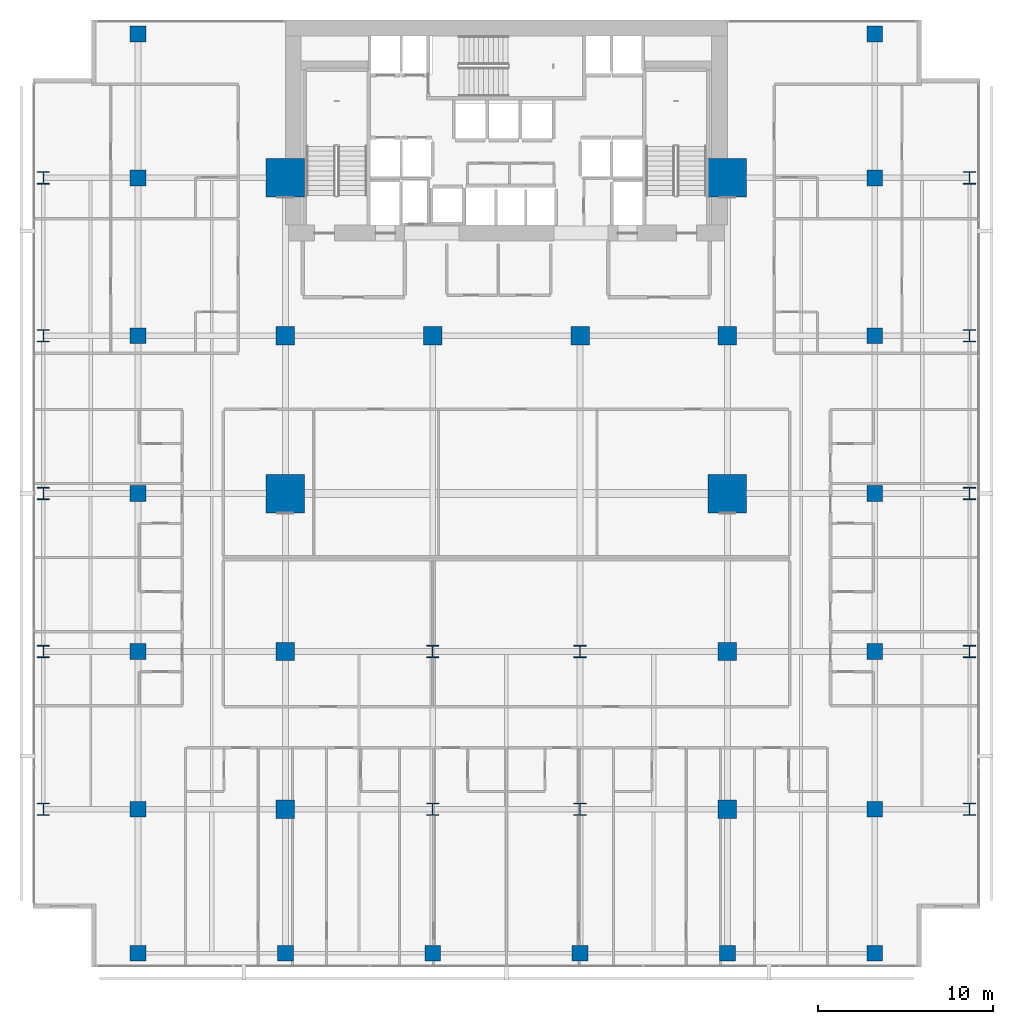
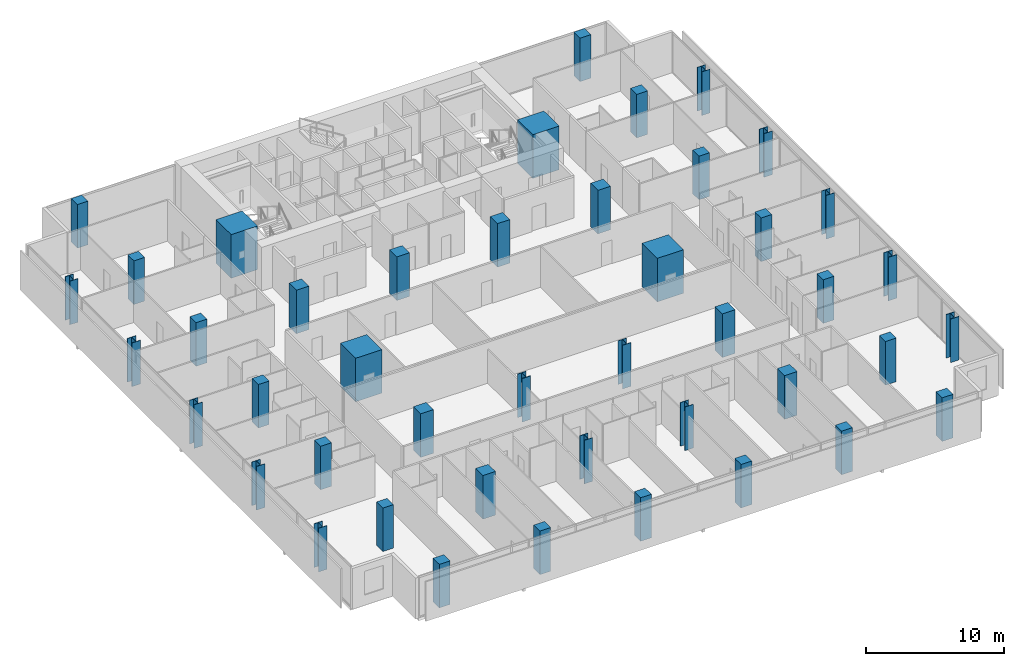
# One storey, part 1 of 40: 44 columns.
"""IFC4 building model written with IfcOpenShell, lengths in metres."""

from ifc_helpers import new_model, si_unit, direction, frame, origin, origin_2d, place, context, subcontext, project, spatial, rectangle, i_section, extrude, material, material_profile, profile_set, type_object, element, save


model = new_model("IFC4")

# Units and contexts
model_context = context("Model", 3, precision=1e-05, world=origin(), true_north=direction((0.0, 1.0)))
body_context = subcontext(model_context, "Body", "Model", "MODEL_VIEW")
ifc_project = project(units=[si_unit("LENGTHUNIT", "METRE"), si_unit("AREAUNIT", "SQUARE_METRE"), si_unit("VOLUMEUNIT", "CUBIC_METRE"), si_unit("PLANEANGLEUNIT", "RADIAN"), si_unit("MASSUNIT", "GRAM", prefix="KILO")], contexts=[model_context])

# Site, building, storey
site_placement = place(None, origin())
site = spatial("IfcSite", under=ifc_project, at=site_placement, CompositionType="ELEMENT")
building_placement = place(site_placement, origin())
building = spatial("IfcBuilding", under=site, at=building_placement, Name="Maruvema Waterfront Hotel and Observation Tower", CompositionType="ELEMENT")
storey_placement = place(building_placement, frame((0.0, 0.0, 38.5)))
storey = spatial("IfcBuildingStorey", under=building, at=storey_placement, Name="L08", CompositionType="ELEMENT", Elevation=38.5)

# Columns
ifc_material_1 = material(Name="Concrete C80/95", Category="concrete")
ifc_material_profile_1 = material_profile(ifc_material_1, rectangle(XDim=2.199951171875, YDim=2.199951171875, at=origin_2d()), Name="MC2200x2200")
ifc_profile_set_1 = profile_set([ifc_material_profile_1], Name="Concrete C80/95")
column_type_1 = type_object("IfcColumnType", Name="Continuous Mega-Column MC2200x2200", PredefinedType="COLUMN", material=ifc_profile_set_1)
for number, where, z_axis, x_axis, name in (
    (1, (25.199951171875, 27.0, 0.0), (0.0, 0.0, 1.0), (1.0, 0.0, 0.0), "L08 Continuous Mega-Column MC-01"),
    (2, (50.39990234375, 27.0, 0.0), (0.0, 0.0, 1.0), (1.0, 0.0, 0.0), "L08 Continuous Mega-Column MC-02"),
    (3, (25.199951171875, 45.0, 0.0), (0.0, 0.0, 1.0), (1.0, 0.0, 0.0), "L08 Continuous Mega-Column MC-03"),
    (4, (50.39990234375, 45.0, 0.0), (0.0, 0.0, 1.0), (1.0, 0.0, 0.0), "L08 Continuous Mega-Column MC-04"),
):
    element("IfcColumn", number, at=place(storey_placement, frame(where, z_axis=z_axis, x_axis=x_axis)), inside=storey, type_object=column_type_1, Name=name, PredefinedType="COLUMN", context=body_context, shape_type="SweptSolid", body=[
        extrude(rectangle(XDim=2.199951171875, YDim=2.199951171875, at=origin_2d()), origin(), (0.0, 0.0, 1.0), 3.85009765625),
    ])
ifc_material_2 = material(Name="Concrete C60/75", Category="concrete")
ifc_material_profile_2 = material_profile(ifc_material_2, rectangle(XDim=1.050048828125, YDim=1.050048828125, at=origin_2d()), Name="RC1050x1050")
ifc_profile_set_2 = profile_set([ifc_material_profile_2], Name="Concrete C60/75")
column_type_2 = type_object("IfcColumnType", Name="Reinforced Concrete Column RC1050x1050", PredefinedType="COLUMN", material=ifc_profile_set_2)
for number, where, z_axis, x_axis, name in (
    (5, (25.199951171875, 36.0, 0.0), (0.0, 0.0, 1.0), (1.0, 0.0, 0.0), "L08 Column C-4E"),
    (6, (33.60009765625, 36.0, 0.0), (0.0, 0.0, 1.0), (1.0, 0.0, 0.0), "L08 Column C-5E"),
    (7, (42.0, 36.0, 0.0), (0.0, 0.0, 1.0), (1.0, 0.0, 0.0), "L08 Column C-6E"),
    (8, (50.39990234375, 36.0, 0.0), (0.0, 0.0, 1.0), (1.0, 0.0, 0.0), "L08 Column C-7E"),
    (9, (25.199951171875, 18.0, 0.0), (0.0, 0.0, 1.0), (1.0, 0.0, 0.0), "L08 Column C-4C"),
    (10, (50.39990234375, 18.0, 0.0), (0.0, 0.0, 1.0), (1.0, 0.0, 0.0), "L08 Column C-7C"),
    (11, (25.199951171875, 9.0, 0.0), (0.0, 0.0, 1.0), (1.0, 0.0, 0.0), "L08 Column C-4B"),
    (12, (50.39990234375, 9.0, 0.0), (0.0, 0.0, 1.0), (1.0, 0.0, 0.0), "L08 Column C-7B"),
):
    element("IfcColumn", number, at=place(storey_placement, frame(where, z_axis=z_axis, x_axis=x_axis)), inside=storey, type_object=column_type_2, Name=name, PredefinedType="COLUMN", context=body_context, shape_type="SweptSolid", body=[
        extrude(rectangle(XDim=1.050048828125, YDim=1.050048828125, at=origin_2d()), origin(), (0.0, 0.0, 1.0), 3.85009765625),
    ])
ifc_material_3 = material(Name="Concrete C60/75", Category="concrete")
ifc_material_profile_3 = material_profile(ifc_material_3, rectangle(XDim=0.89990234375, YDim=0.89990234375, at=origin_2d()), Name="RC900x900")
ifc_profile_set_3 = profile_set([ifc_material_profile_3], Name="Concrete C60/75")
column_type_3 = type_object("IfcColumnType", Name="Reinforced Concrete Column RC900x900", PredefinedType="COLUMN", material=ifc_profile_set_3)
for number, where, z_axis, x_axis, name in (
    (13, (16.800048828125, 9.0, 0.0), (0.0, 0.0, 1.0), (1.0, 0.0, 0.0), "L08 Column C-3Y9"),
    (14, (58.800048828125, 9.0, 0.0), (0.0, 0.0, 1.0), (1.0, 0.0, 0.0), "L08 Column C-8Y9"),
    (15, (16.800048828125, 18.0, 0.0), (0.0, 0.0, 1.0), (1.0, 0.0, 0.0), "L08 Column C-3Y18"),
    (16, (58.800048828125, 18.0, 0.0), (0.0, 0.0, 1.0), (1.0, 0.0, 0.0), "L08 Column C-8Y18"),
    (17, (16.800048828125, 27.0, 0.0), (0.0, 0.0, 1.0), (1.0, 0.0, 0.0), "L08 Column C-3Y27"),
    (18, (58.800048828125, 27.0, 0.0), (0.0, 0.0, 1.0), (1.0, 0.0, 0.0), "L08 Column C-8Y27"),
    (19, (16.800048828125, 36.0, 0.0), (0.0, 0.0, 1.0), (1.0, 0.0, 0.0), "L08 Column C-3Y36"),
    (20, (58.800048828125, 36.0, 0.0), (0.0, 0.0, 1.0), (1.0, 0.0, 0.0), "L08 Column C-8Y36"),
    (21, (16.800048828125, 45.0, 0.0), (0.0, 0.0, 1.0), (1.0, 0.0, 0.0), "L08 Column C-3Y45"),
    (22, (58.800048828125, 45.0, 0.0), (0.0, 0.0, 1.0), (1.0, 0.0, 0.0), "L08 Column C-8Y45"),
    (23, (16.800048828125, 0.800048828125, 0.0), (0.0, 0.0, 1.0), (1.0, 0.0, 0.0), "L08 Column C-3A"),
    (24, (25.199951171875, 0.800048828125, 0.0), (0.0, 0.0, 1.0), (1.0, 0.0, 0.0), "L08 Column C-4A"),
    (25, (33.60009765625, 0.800048828125, 0.0), (0.0, 0.0, 1.0), (1.0, 0.0, 0.0), "L08 Column C-5A"),
    (26, (42.0, 0.800048828125, 0.0), (0.0, 0.0, 1.0), (1.0, 0.0, 0.0), "L08 Column C-6A"),
    (27, (50.39990234375, 0.800048828125, 0.0), (0.0, 0.0, 1.0), (1.0, 0.0, 0.0), "L08 Column C-7A"),
    (28, (58.800048828125, 0.800048828125, 0.0), (0.0, 0.0, 1.0), (1.0, 0.0, 0.0), "L08 Column C-8A"),
    (29, (16.800048828125, 53.199951171875, 0.0), (0.0, 0.0, 1.0), (1.0, 0.0, 0.0), "L08 Column C-3G"),
    (30, (58.800048828125, 53.199951171875, 0.0), (0.0, 0.0, 1.0), (1.0, 0.0, 0.0), "L08 Column C-8G"),
):
    element("IfcColumn", number, at=place(storey_placement, frame(where, z_axis=z_axis, x_axis=x_axis)), inside=storey, type_object=column_type_3, Name=name, PredefinedType="COLUMN", context=body_context, shape_type="SweptSolid", body=[
        extrude(rectangle(XDim=0.89990234375, YDim=0.89990234375, at=origin_2d()), origin(), (0.0, 0.0, 1.0), 3.85009765625),
    ])
ifc_material_4 = material(Name="Steel ABNT NBR 7007 AR 415 (ASTM A572 Grade 50)", Category="steel")
ifc_material_profile_4 = material_profile(ifc_material_4, i_section(OverallWidth=0.699951171875, OverallDepth=0.699951171875, WebThickness=0.028076171875, FlangeThickness=0.0439453125, at=origin_2d()), Name="CVS700x436")
ifc_profile_set_4 = profile_set([ifc_material_profile_4], Name="Steel ABNT NBR 7007 AR 415 (ASTM A572 Grade 50)")
column_type_4 = type_object("IfcColumnType", Name="Structural Steel Column CVS700x436", PredefinedType="COLUMN", material=ifc_profile_set_4)
for number, where, z_axis, x_axis, name in (
    (31, (33.60009765625, 9.0, 0.0), (0.0, 0.0, 1.0), (1.0, 0.0, 0.0), "L08 Column C-5B"),
    (32, (42.0, 9.0, 0.0), (0.0, 0.0, 1.0), (1.0, 0.0, 0.0), "L08 Column C-6B"),
    (33, (33.60009765625, 18.0, 0.0), (0.0, 0.0, 1.0), (1.0, 0.0, 0.0), "L08 Column C-5C"),
    (34, (42.0, 18.0, 0.0), (0.0, 0.0, 1.0), (1.0, 0.0, 0.0), "L08 Column C-6C"),
    (35, (11.39990234375, 9.0, 0.0), (0.0, 0.0, 1.0), (1.0, 0.0, 0.0), "L08 Column C-Z1W9"),
    (36, (64.199951171875, 9.0, 0.0), (0.0, 0.0, 1.0), (1.0, 0.0, 0.0), "L08 Column C-Z1E9"),
    (37, (11.39990234375, 18.0, 0.0), (0.0, 0.0, 1.0), (1.0, 0.0, 0.0), "L08 Column C-Z1W18"),
    (38, (64.199951171875, 18.0, 0.0), (0.0, 0.0, 1.0), (1.0, 0.0, 0.0), "L08 Column C-Z1E18"),
    (39, (11.39990234375, 27.0, 0.0), (0.0, 0.0, 1.0), (1.0, 0.0, 0.0), "L08 Column C-Z1W27"),
    (40, (64.199951171875, 27.0, 0.0), (0.0, 0.0, 1.0), (1.0, 0.0, 0.0), "L08 Column C-Z1E27"),
    (41, (11.39990234375, 36.0, 0.0), (0.0, 0.0, 1.0), (1.0, 0.0, 0.0), "L08 Column C-Z1W36"),
    (42, (64.199951171875, 36.0, 0.0), (0.0, 0.0, 1.0), (1.0, 0.0, 0.0), "L08 Column C-Z1E36"),
    (43, (11.39990234375, 45.0, 0.0), (0.0, 0.0, 1.0), (1.0, 0.0, 0.0), "L08 Column C-Z1W45"),
    (44, (64.199951171875, 45.0, 0.0), (0.0, 0.0, 1.0), (1.0, 0.0, 0.0), "L08 Column C-Z1E45"),
):
    element("IfcColumn", number, at=place(storey_placement, frame(where, z_axis=z_axis, x_axis=x_axis)), inside=storey, type_object=column_type_4, Name=name, PredefinedType="COLUMN", context=body_context, shape_type="SweptSolid", body=[
        extrude(i_section(OverallWidth=0.699951171875, OverallDepth=0.699951171875, WebThickness=0.028076171875, FlangeThickness=0.0439453125, at=origin_2d()), origin(), (0.0, 0.0, 1.0), 3.85009765625),
    ])

save(model, "model.ifc")
